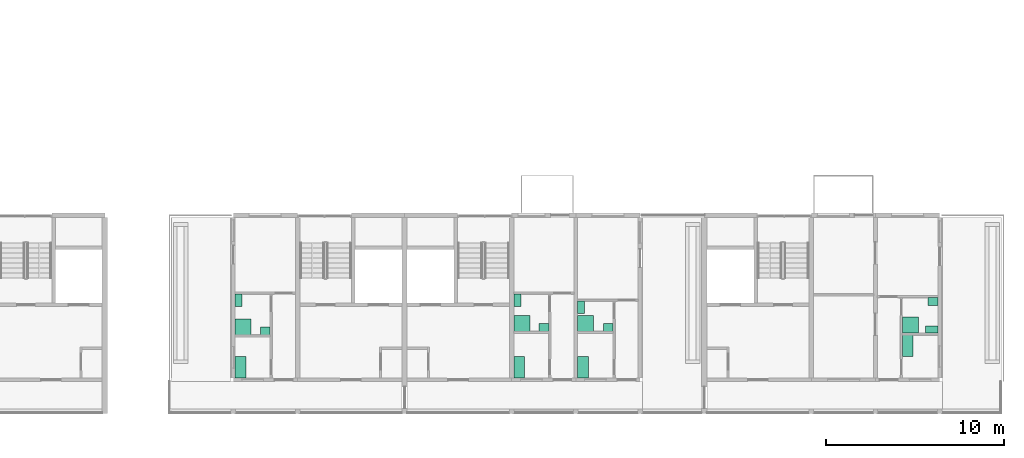
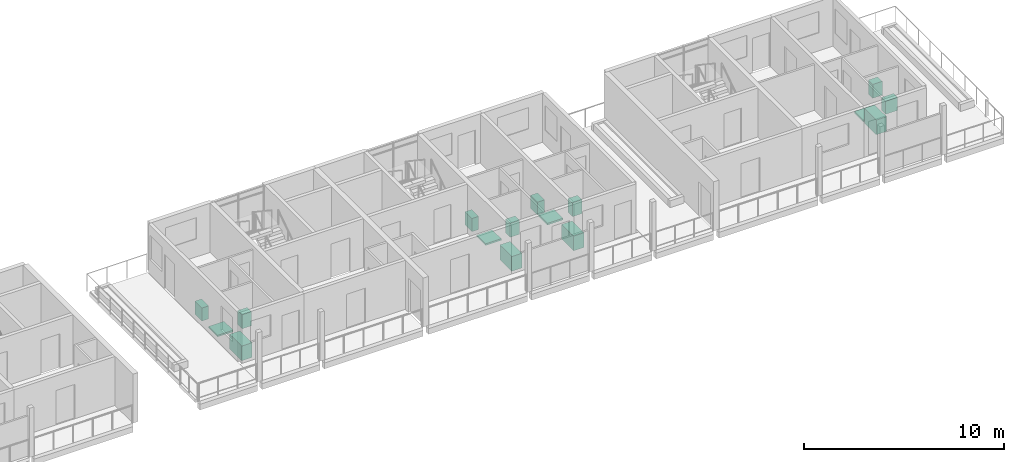
# One storey, part 55 of 55: 16 sanitary terminals.
"""IFC4 building model written with IfcOpenShell, lengths in metres."""

from ifc_helpers import new_model, si_unit, direction, frame, origin, origin_2d, place, context, subcontext, project, spatial, rectangle, extrude, element, save


model = new_model("IFC4")

# Units and contexts
model_context = context("Model", 3, precision=1e-05, world=origin(), true_north=direction((0.0, 1.0)))
body_context = subcontext(model_context, "Body", "Model", "MODEL_VIEW")
ifc_project = project(units=[si_unit("LENGTHUNIT", "METRE"), si_unit("AREAUNIT", "SQUARE_METRE"), si_unit("VOLUMEUNIT", "CUBIC_METRE"), si_unit("PLANEANGLEUNIT", "RADIAN"), si_unit("MASSUNIT", "GRAM", prefix="KILO")], contexts=[model_context])

# Site, building, storey
site_placement = place(None, origin())
site = spatial("IfcSite", under=ifc_project, at=site_placement, CompositionType="ELEMENT")
building_placement = place(site_placement, origin())
building = spatial("IfcBuilding", under=site, at=building_placement, Name="Ridgestep Commons", CompositionType="ELEMENT")
storey_placement = place(building_placement, frame((0.0, 0.0, 36.0)))
storey = spatial("IfcBuildingStorey", under=building, at=storey_placement, Name="L12", CompositionType="ELEMENT", Elevation=36.0)

# Sanitary terminals
sanitary_terminal_1_placement = place(storey_placement, frame((204.949951171875, 16.610107421875, 0.0), z_axis=(0.0, 0.0, 1.0), x_axis=(1.0, 0.0, 0.0)))
element("IfcSanitaryTerminal", 1, at=sanitary_terminal_1_placement, inside=storey, Name="Shower tray D4-12a", PredefinedType="SHOWER", context=body_context, shape_type="SweptSolid", body=[
    extrude(rectangle(XDim=0.89990234375, YDim=0.89990234375, at=origin_2d()), origin(), (0.0, 0.0, 1.0), 0.10009765625),
])
sanitary_terminal_2_placement = place(storey_placement, frame((204.699951171875, 18.10009765625, 0.0), z_axis=(0.0, 0.0, 1.0), x_axis=(1.0, 0.0, 0.0)))
element("IfcSanitaryTerminal", 2, at=sanitary_terminal_2_placement, inside=storey, Name="WC D4-12a", PredefinedType="TOILETPAN", context=body_context, shape_type="SweptSolid", body=[
    extrude(rectangle(XDim=0.39990234375, YDim=0.699951171875, at=origin_2d()), origin(), (0.0, 0.0, 1.0), 0.800048828125),
])
sanitary_terminal_3_placement = place(storey_placement, frame((206.18994140625, 16.385009765625, 0.0), z_axis=(0.0, 0.0, 1.0), x_axis=(1.0, 0.0, 0.0)))
element("IfcSanitaryTerminal", 3, at=sanitary_terminal_3_placement, inside=storey, Name="Basin D4-12a", PredefinedType="WASHHANDBASIN", context=body_context, shape_type="SweptSolid", body=[
    extrude(rectangle(XDim=0.550048828125, YDim=0.449951171875, at=origin_2d()), origin(), (0.0, 0.0, 1.0), 0.85009765625),
])
sanitary_terminal_4_placement = place(storey_placement, frame((204.800048828125, 14.35009765625, 0.0), z_axis=(0.0, 0.0, 1.0), x_axis=(1.0, 0.0, 0.0)))
element("IfcSanitaryTerminal", 4, at=sanitary_terminal_4_placement, inside=storey, Name="Kitchen sink D4-12a", PredefinedType="SINK", context=body_context, shape_type="SweptSolid", body=[
    extrude(rectangle(XDim=0.60009765625, YDim=1.199951171875, at=origin_2d()), origin(), (0.0, 0.0, 1.0), 0.89990234375),
])
sanitary_terminal_5_placement = place(storey_placement, frame((224.14990234375, 16.81005859375, 0.0), z_axis=(0.0, 0.0, 1.0), x_axis=(1.0, 0.0, 0.0)))
element("IfcSanitaryTerminal", 5, at=sanitary_terminal_5_placement, inside=storey, Name="Shower tray D5-12a", PredefinedType="SHOWER", context=body_context, shape_type="SweptSolid", body=[
    extrude(rectangle(XDim=0.89990234375, YDim=0.89990234375, at=origin_2d()), origin(), (0.0, 0.0, 1.0), 0.10009765625),
])
sanitary_terminal_6_placement = place(storey_placement, frame((223.89990234375, 17.699951171875, 0.0), z_axis=(0.0, 0.0, 1.0), x_axis=(1.0, 0.0, 0.0)))
element("IfcSanitaryTerminal", 6, at=sanitary_terminal_6_placement, inside=storey, Name="WC D5-12a", PredefinedType="TOILETPAN", context=body_context, shape_type="SweptSolid", body=[
    extrude(rectangle(XDim=0.39990234375, YDim=0.699951171875, at=origin_2d()), origin(), (0.0, 0.0, 1.0), 0.800048828125),
])
sanitary_terminal_7_placement = place(storey_placement, frame((225.4150390625, 16.5849609375, 0.0), z_axis=(0.0, 0.0, 1.0), x_axis=(1.0, 0.0, 0.0)))
element("IfcSanitaryTerminal", 7, at=sanitary_terminal_7_placement, inside=storey, Name="Basin D5-12a", PredefinedType="WASHHANDBASIN", context=body_context, shape_type="SweptSolid", body=[
    extrude(rectangle(XDim=0.550048828125, YDim=0.449951171875, at=origin_2d()), origin(), (0.0, 0.0, 1.0), 0.85009765625),
])
sanitary_terminal_8_placement = place(storey_placement, frame((224.0, 14.35009765625, 0.0), z_axis=(0.0, 0.0, 1.0), x_axis=(1.0, 0.0, 0.0)))
element("IfcSanitaryTerminal", 8, at=sanitary_terminal_8_placement, inside=storey, Name="Kitchen sink D5-12a", PredefinedType="SINK", context=body_context, shape_type="SweptSolid", body=[
    extrude(rectangle(XDim=0.60009765625, YDim=1.199951171875, at=origin_2d()), origin(), (0.0, 0.0, 1.0), 0.89990234375),
])
sanitary_terminal_9_placement = place(storey_placement, frame((220.574951171875, 16.81005859375, 0.0), z_axis=(0.0, 0.0, 1.0), x_axis=(1.0, 0.0, 0.0)))
element("IfcSanitaryTerminal", 9, at=sanitary_terminal_9_placement, inside=storey, Name="Shower tray D5-12b", PredefinedType="SHOWER", context=body_context, shape_type="SweptSolid", body=[
    extrude(rectangle(XDim=0.89990234375, YDim=0.89990234375, at=origin_2d()), origin(), (0.0, 0.0, 1.0), 0.10009765625),
])
sanitary_terminal_10_placement = place(storey_placement, frame((220.324951171875, 18.10009765625, 0.0), z_axis=(0.0, 0.0, 1.0), x_axis=(1.0, 0.0, 0.0)))
element("IfcSanitaryTerminal", 10, at=sanitary_terminal_10_placement, inside=storey, Name="WC D5-12b", PredefinedType="TOILETPAN", context=body_context, shape_type="SweptSolid", body=[
    extrude(rectangle(XDim=0.39990234375, YDim=0.699951171875, at=origin_2d()), origin(), (0.0, 0.0, 1.0), 0.800048828125),
])
sanitary_terminal_11_placement = place(storey_placement, frame((221.81494140625, 16.5849609375, 0.0), z_axis=(0.0, 0.0, 1.0), x_axis=(1.0, 0.0, 0.0)))
element("IfcSanitaryTerminal", 11, at=sanitary_terminal_11_placement, inside=storey, Name="Basin D5-12b", PredefinedType="WASHHANDBASIN", context=body_context, shape_type="SweptSolid", body=[
    extrude(rectangle(XDim=0.550048828125, YDim=0.449951171875, at=origin_2d()), origin(), (0.0, 0.0, 1.0), 0.85009765625),
])
sanitary_terminal_12_placement = place(storey_placement, frame((220.425048828125, 14.35009765625, 0.0), z_axis=(0.0, 0.0, 1.0), x_axis=(1.0, 0.0, 0.0)))
element("IfcSanitaryTerminal", 12, at=sanitary_terminal_12_placement, inside=storey, Name="Kitchen sink D5-12b", PredefinedType="SINK", context=body_context, shape_type="SweptSolid", body=[
    extrude(rectangle(XDim=0.60009765625, YDim=1.199951171875, at=origin_2d()), origin(), (0.0, 0.0, 1.0), 0.89990234375),
])
sanitary_terminal_13_placement = place(storey_placement, frame((242.360107421875, 16.7099609375, 0.0), z_axis=(0.0, 0.0, 1.0), x_axis=(1.0, 0.0, 0.0)))
element("IfcSanitaryTerminal", 13, at=sanitary_terminal_13_placement, inside=storey, Name="Shower tray D6-12a", PredefinedType="SHOWER", context=body_context, shape_type="SweptSolid", body=[
    extrude(rectangle(XDim=0.89990234375, YDim=0.89990234375, at=origin_2d()), origin(), (0.0, 0.0, 1.0), 0.10009765625),
])
sanitary_terminal_14_placement = place(storey_placement, frame((243.550048828125, 16.4599609375, 0.0), z_axis=(0.0, 0.0, 1.0), x_axis=(1.0, 0.0, 0.0)))
element("IfcSanitaryTerminal", 14, at=sanitary_terminal_14_placement, inside=storey, Name="WC D6-12a", PredefinedType="TOILETPAN", context=body_context, shape_type="SweptSolid", body=[
    extrude(rectangle(XDim=0.699951171875, YDim=0.39990234375, at=origin_2d()), origin(), (0.0, 0.0, 1.0), 0.800048828125),
])
sanitary_terminal_15_placement = place(storey_placement, frame((243.625, 18.02490234375, 0.0), z_axis=(0.0, 0.0, 1.0), x_axis=(1.0, 0.0, 0.0)))
element("IfcSanitaryTerminal", 15, at=sanitary_terminal_15_placement, inside=storey, Name="Basin D6-12a", PredefinedType="WASHHANDBASIN", context=body_context, shape_type="SweptSolid", body=[
    extrude(rectangle(XDim=0.550048828125, YDim=0.449951171875, at=origin_2d()), origin(), (0.0, 0.0, 1.0), 0.85009765625),
])
sanitary_terminal_16_placement = place(storey_placement, frame((242.2099609375, 15.550048828125, 0.0), z_axis=(0.0, 0.0, 1.0), x_axis=(1.0, 0.0, 0.0)))
element("IfcSanitaryTerminal", 16, at=sanitary_terminal_16_placement, inside=storey, Name="Kitchen sink D6-12a", PredefinedType="SINK", context=body_context, shape_type="SweptSolid", body=[
    extrude(rectangle(XDim=0.60009765625, YDim=1.199951171875, at=origin_2d()), origin(), (0.0, 0.0, 1.0), 0.89990234375),
])

save(model, "model.ifc")
